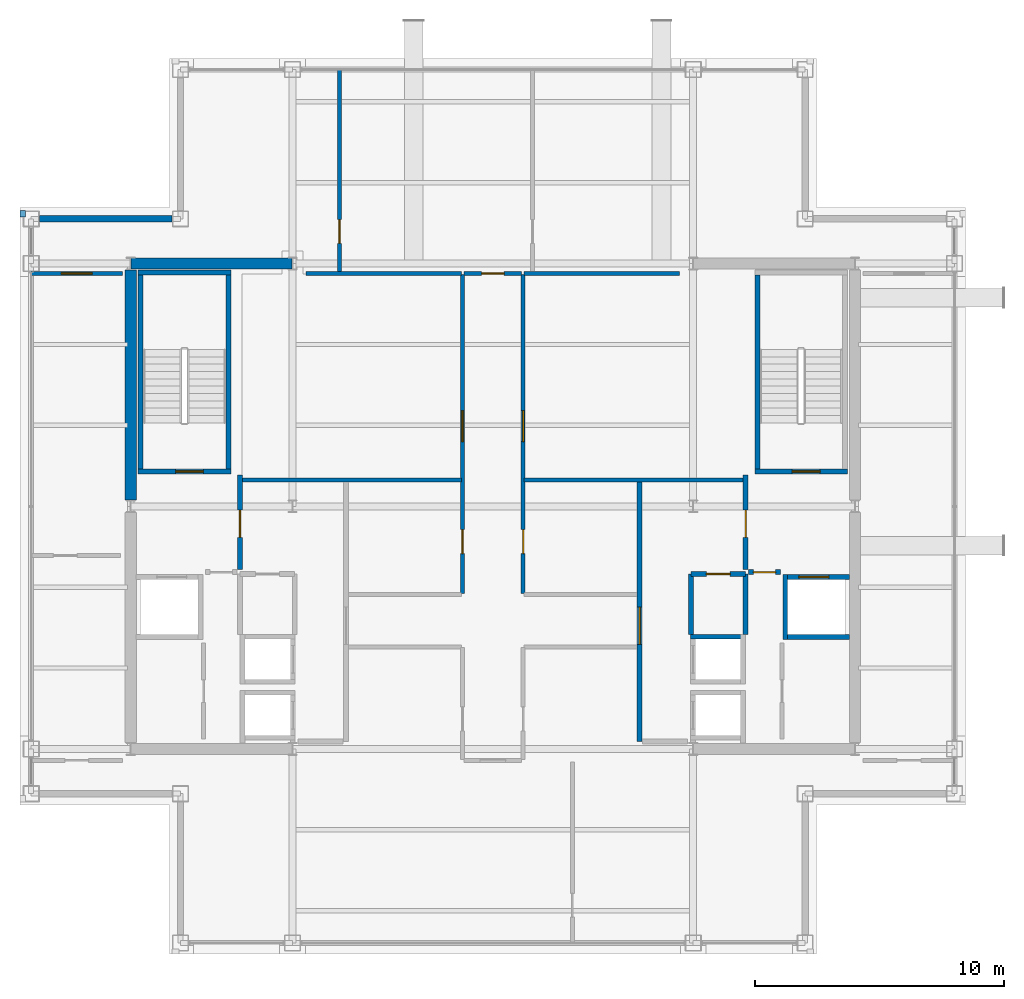
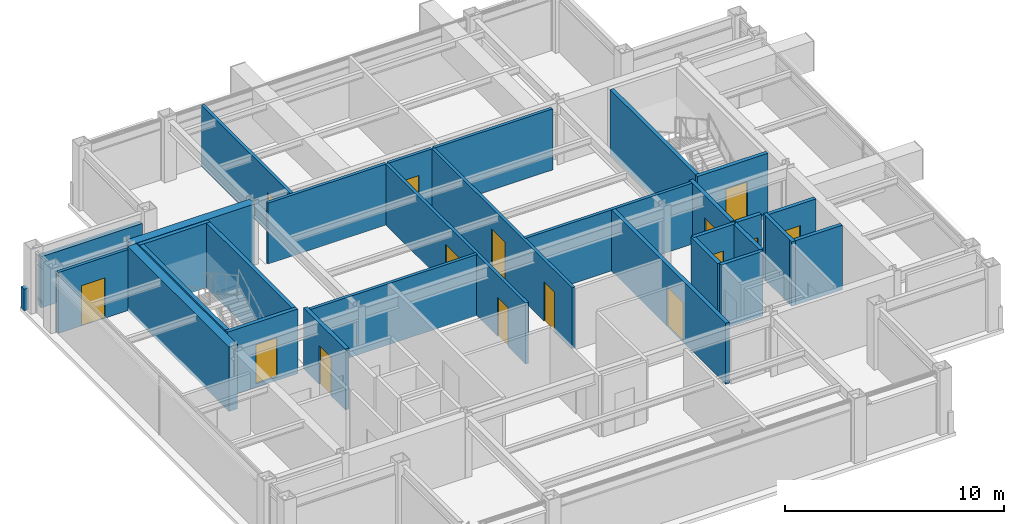
# One storey, part 18 of 20: 30 walls, 15 doors, 15 openings.
"""IFC4 building model written with IfcOpenShell, lengths in metres."""

from ifc_helpers import new_model, si_unit, direction, frame, frame_2d, origin, place, context, subcontext, project, spatial, rectangle, extrude, material, layer, layer_set, type_object, element, fill, save


model = new_model("IFC4")

# Units and contexts
model_context = context("Model", 3, precision=1e-05, world=origin(), true_north=direction((0.0, 1.0)))
body_context = subcontext(model_context, "Body", "Model", "MODEL_VIEW")
ifc_project = project(units=[si_unit("LENGTHUNIT", "METRE"), si_unit("AREAUNIT", "SQUARE_METRE"), si_unit("VOLUMEUNIT", "CUBIC_METRE"), si_unit("PLANEANGLEUNIT", "RADIAN"), si_unit("MASSUNIT", "GRAM", prefix="KILO")], contexts=[model_context])

# Site, building, storey
site_placement = place(None, origin())
site = spatial("IfcSite", under=ifc_project, at=site_placement, CompositionType="ELEMENT")
building_placement = place(site_placement, origin())
building = spatial("IfcBuilding", under=site, at=building_placement, Name="Brelmoor Portico Tower", CompositionType="ELEMENT")
storey_placement = place(building_placement, frame((0.0, 0.0, 218.39990234375)))
storey = spatial("IfcBuildingStorey", under=building, at=storey_placement, Name="L57", CompositionType="ELEMENT", Elevation=218.39990234375)

# Walls
ifc_material_1 = material(Name="Concrete C50", Category="concrete")
ifc_layer_1 = layer(ifc_material_1, 0.449951171875)
ifc_layer_set_1 = layer_set([ifc_layer_1], Name="Concrete C50")
wall_type_1 = type_object("IfcWallType", Name="WL-CORE-450", PredefinedType="SHEAR", material=ifc_layer_set_1)
wall_1_placement = place(storey_placement, frame((-14.530029296875, 9.75, -0.199951171875), z_axis=(0.0, 0.0, 1.0), x_axis=(1.0, 0.0, 0.0)))
element("IfcWall", 1, at=wall_1_placement, inside=storey, type_object=wall_type_1, Name="L57 WC North Shear Wall", PredefinedType="SHEAR", context=body_context, shape_type="SweptSolid", body=[
    extrude(rectangle(XDim=6.4599609375, YDim=0.449951171875, at=frame_2d((3.22998046875, 0.0))), origin(), (0.0, 0.0, 1.0), 3.60009765625),
])
wall_2_placement = place(storey_placement, frame((-14.550048828125, 0.25, -0.199951171875), z_axis=(0.0, 0.0, 1.0), x_axis=(0.0, 1.0, 0.0)))
element("IfcWall", 2, at=wall_2_placement, inside=storey, type_object=wall_type_1, Name="L57 WC Outer North Shear Wall", PredefinedType="SHEAR", context=body_context, shape_type="SweptSolid", body=[
    extrude(rectangle(XDim=9.25, YDim=0.449951171875, at=frame_2d((4.625, 0.0))), origin(), (0.0, 0.0, 1.0), 3.60009765625),
])
ifc_material_2 = material(Name="Precast Concrete C40 Insulated Facade Wall", Category="concrete")
ifc_layer_2 = layer(ifc_material_2, 0.25)
ifc_layer_set_2 = layer_set([ifc_layer_2], Name="Precast Concrete C40 Insulated Facade Wall")
wall_type_2 = type_object("IfcWallType", Name="WL-EXT-250", PredefinedType="STANDARD", material=ifc_layer_set_2)
wall_3_placement = place(storey_placement, frame((-18.215087890625, 11.550048828125, 0.0), z_axis=(0.0, 0.0, 1.0), x_axis=(1.0, 0.0, 0.0)))
element("IfcWall", 3, at=wall_3_placement, inside=storey, type_object=wall_type_2, Name="L57 Corner Notch Facade Wall NNWH1", PredefinedType="STANDARD", context=body_context, shape_type="SweptSolid", body=[
    extrude(rectangle(XDim=5.330078125, YDim=0.25, at=frame_2d((2.6650390625, 0.0))), origin(), (0.0, 0.0, 1.0), 2.85009765625),
])
ifc_material_3 = material(Name="Concrete C40 Parapet Upstand", Category="concrete")
ifc_layer_3 = layer(ifc_material_3, 0.219970703125)
ifc_layer_set_3 = layer_set([ifc_layer_3], Name="Concrete C40 Parapet Upstand")
wall_type_3 = type_object("IfcWallType", Name="WL-PARAPET-220", PredefinedType="PARAPET", material=ifc_layer_set_3)
wall_4_placement = place(storey_placement, frame((-18.889892578125, 11.6201171875, 0.0), z_axis=(0.0, 0.0, 1.0), x_axis=(0.0, 1.0, 0.0)))
element("IfcWall", 4, at=wall_4_placement, inside=storey, type_object=wall_type_3, Name="L57 Chamfer Vertex Parapet Pier NW2", PredefinedType="PARAPET", context=body_context, shape_type="SweptSolid", body=[
    extrude(rectangle(XDim=0.269775390625, YDim=0.219970703125, at=frame_2d((0.134765625, 0.0))), origin(), (0.0, 0.0, 1.0), 1.2001953125),
])
ifc_material_4 = material(Name="Twin-Frame Acoustic Partition", Category="gypsum")
ifc_layer_4 = layer(ifc_material_4, 0.159912109375)
ifc_layer_set_4 = layer_set([ifc_layer_4], Name="Twin-Frame Acoustic Partition")
wall_type_4 = type_object("IfcWallType", Name="WL-PART-160", PredefinedType="PARTITIONING", material=ifc_layer_set_4)
wall_5_placement = place(storey_placement, frame((-10.050048828125, 1.050048828125, 0.0), z_axis=(0.0, 0.0, 1.0), x_axis=(1.0, 0.0, 0.0)))
element("IfcWall", 5, at=wall_5_placement, inside=storey, type_object=wall_type_4, Name="L57 West Reclaimed Suite South Wall", PredefinedType="PARTITIONING", context=body_context, shape_type="SweptSolid", body=[
    extrude(rectangle(XDim=8.7900390625, YDim=0.159912109375, at=frame_2d((4.39501953125, 0.0))), origin(), (0.0, 0.0, 1.0), 3.400146484375),
])

# Wall, openings, doors
wall_6_placement = place(storey_placement, frame((-1.219970703125, -3.5, 0.0), z_axis=(0.0, 0.0, 1.0), x_axis=(0.0, 1.0, 0.0)))
wall_6 = element("IfcWall", 6, at=wall_6_placement, inside=storey, type_object=wall_type_4, Name="L57 Central Cross West Wall", PredefinedType="PARTITIONING", context=body_context, shape_type="SweptSolid", body=[
    extrude(rectangle(XDim=12.81005859375, YDim=0.159912109375, at=frame_2d((6.405029296875, 0.0))), origin(), (0.0, 0.0, 1.0), 3.400146484375),
])
opening_1_placement = place(wall_6_placement, frame((6.10009765625, 0.0, 0.0)))
opening_1 = element("IfcOpeningElement", 7, at=opening_1_placement, cuts=wall_6, Name="Opening D-SU1", PredefinedType="OPENING", context=body_context, shape_type="SweptSolid", body=[
    extrude(rectangle(XDim=1.239990234375, YDim=2.239990234375, at=frame_2d((0.6201171875, 1.1201171875))), frame((0.0, 0.08984375, 0.0), z_axis=(0.0, -1.0, 0.0), x_axis=(1.0, 0.0, 0.0)), (0.0, 0.0, 1.0), 0.179931640625),
])
opening_2_placement = place(wall_6_placement, frame((1.60009765625, 0.0, 0.0)))
opening_2 = element("IfcOpeningElement", 8, at=opening_2_placement, cuts=wall_6, Name="Opening D-IN2", PredefinedType="OPENING", context=body_context, shape_type="SweptSolid", body=[
    extrude(rectangle(XDim=0.9599609375, YDim=2.179931640625, at=frame_2d((0.47998046875, 1.08984375))), frame((0.0, 0.08984375, 0.0), z_axis=(0.0, -1.0, 0.0), x_axis=(1.0, 0.0, 0.0)), (0.0, 0.0, 1.0), 0.179931640625),
])
ifc_material_5 = material(Name="Lacquered Timber Suite Door", Category="wood")
door_type_1 = type_object("IfcDoorType", Name="DR-INT-950", OperationType="NOTDEFINED", PredefinedType="DOOR", material=ifc_material_5)
door_1_placement = place(opening_2_placement, origin())
door_1 = element("IfcDoor", 9, at=door_1_placement, inside=storey, type_object=door_type_1, Name="D-2368 L57 Staff Pantry Door", OperationType="SINGLE_SWING_RIGHT", OverallHeight=2.179931640625, OverallWidth=0.9599609375, PredefinedType="DOOR", context=body_context, shape_type="SweptSolid", body=[
    extrude(rectangle(XDim=0.9599609375, YDim=2.179931640625, at=frame_2d((0.47998046875, 1.08984375))), frame((0.0, 0.02490234375, 0.0), z_axis=(0.0, -1.0, 0.0), x_axis=(1.0, 0.0, 0.0)), (0.0, 0.0, 1.0), 0.050048828125),
])
fill(opening_2, door_1)
ifc_material_6 = material(Name="Glazed Timber Executive Suite Door", Category="wood")
door_type_2 = type_object("IfcDoorType", Name="DR-SUITE-1200", OperationType="NOTDEFINED", PredefinedType="DOOR", material=ifc_material_6)
door_2_placement = place(opening_1_placement, origin())
door_2 = element("IfcDoor", 10, at=door_2_placement, inside=storey, type_object=door_type_2, Name="D-2369 L57 West Reclaimed Studio Door", OperationType="SINGLE_SWING_LEFT", OverallHeight=2.239990234375, OverallWidth=1.239990234375, PredefinedType="DOOR", context=body_context, shape_type="SweptSolid", body=[
    extrude(rectangle(XDim=1.239990234375, YDim=2.239990234375, at=frame_2d((0.6201171875, 1.1201171875))), frame((0.0, 0.02490234375, 0.0), z_axis=(0.0, -1.0, 0.0), x_axis=(1.0, 0.0, 0.0)), (0.0, 0.0, 1.0), 0.050048828125),
])
fill(opening_1, door_2)

# Walls
wall_7_placement = place(storey_placement, frame((-7.5, 9.35009765625, 0.0), z_axis=(0.0, 0.0, 1.0), x_axis=(1.0, 0.0, 0.0)))
element("IfcWall", 11, at=wall_7_placement, inside=storey, type_object=wall_type_4, Name="L57 West Reclaimed Suite North Wall", PredefinedType="PARTITIONING", context=body_context, shape_type="SweptSolid", body=[
    extrude(rectangle(XDim=6.239990234375, YDim=0.159912109375, at=frame_2d((3.1201171875, 0.0))), origin(), (0.0, 0.0, 1.0), 3.400146484375),
])
wall_8_placement = place(storey_placement, frame((1.260009765625, 1.050048828125, 0.0), z_axis=(0.0, 0.0, 1.0), x_axis=(1.0, 0.0, 0.0)))
element("IfcWall", 12, at=wall_8_placement, inside=storey, type_object=wall_type_4, Name="L57 East Suite South Wall", PredefinedType="PARTITIONING", context=body_context, shape_type="SweptSolid", body=[
    extrude(rectangle(XDim=8.800048828125, YDim=0.159912109375, at=frame_2d((4.39990234375, 0.0))), origin(), (0.0, 0.0, 1.0), 3.400146484375),
])

# Wall, openings, doors
wall_9_placement = place(storey_placement, frame((1.219970703125, -3.5, 0.0), z_axis=(0.0, 0.0, 1.0), x_axis=(0.0, 1.0, 0.0)))
wall_9 = element("IfcWall", 13, at=wall_9_placement, inside=storey, type_object=wall_type_4, Name="L57 Central Cross East Wall", PredefinedType="PARTITIONING", context=body_context, shape_type="SweptSolid", body=[
    extrude(rectangle(XDim=12.81005859375, YDim=0.159912109375, at=frame_2d((6.405029296875, 0.0))), origin(), (0.0, 0.0, 1.0), 3.400146484375),
])
opening_3_placement = place(wall_9_placement, frame((6.10009765625, 0.0, 0.0)))
opening_3 = element("IfcOpeningElement", 14, at=opening_3_placement, cuts=wall_9, Name="Opening D-SU1", PredefinedType="OPENING", context=body_context, shape_type="SweptSolid", body=[
    extrude(rectangle(XDim=1.239990234375, YDim=2.239990234375, at=frame_2d((0.6201171875, 1.1201171875))), frame((0.0, 0.08984375, 0.0), z_axis=(0.0, -1.0, 0.0), x_axis=(1.0, 0.0, 0.0)), (0.0, 0.0, 1.0), 0.179931640625),
])
opening_4_placement = place(wall_9_placement, frame((1.60009765625, 0.0, 0.0)))
opening_4 = element("IfcOpeningElement", 15, at=opening_4_placement, cuts=wall_9, Name="Opening D-IN2", PredefinedType="OPENING", context=body_context, shape_type="SweptSolid", body=[
    extrude(rectangle(XDim=0.9599609375, YDim=2.179931640625, at=frame_2d((0.47998046875, 1.08984375))), frame((0.0, 0.08984375, 0.0), z_axis=(0.0, -1.0, 0.0), x_axis=(1.0, 0.0, 0.0)), (0.0, 0.0, 1.0), 0.179931640625),
])
door_3_placement = place(opening_4_placement, origin())
door_3 = element("IfcDoor", 16, at=door_3_placement, inside=storey, type_object=door_type_1, Name="D-2364 L57 Client Project Office Door", OperationType="SINGLE_SWING_RIGHT", OverallHeight=2.179931640625, OverallWidth=0.9599609375, PredefinedType="DOOR", context=body_context, shape_type="SweptSolid", body=[
    extrude(rectangle(XDim=0.9599609375, YDim=2.179931640625, at=frame_2d((0.47998046875, 1.08984375))), frame((0.0, 0.02490234375, 0.0), z_axis=(0.0, -1.0, 0.0), x_axis=(1.0, 0.0, 0.0)), (0.0, 0.0, 1.0), 0.050048828125),
])
fill(opening_4, door_3)
door_4_placement = place(opening_3_placement, origin())
door_4 = element("IfcDoor", 17, at=door_4_placement, inside=storey, type_object=door_type_2, Name="D-2365 L57 East Reclaimed Studio Door", OperationType="SINGLE_SWING_LEFT", OverallHeight=2.239990234375, OverallWidth=1.239990234375, PredefinedType="DOOR", context=body_context, shape_type="SweptSolid", body=[
    extrude(rectangle(XDim=1.239990234375, YDim=2.239990234375, at=frame_2d((0.6201171875, 1.1201171875))), frame((0.0, 0.02490234375, 0.0), z_axis=(0.0, -1.0, 0.0), x_axis=(1.0, 0.0, 0.0)), (0.0, 0.0, 1.0), 0.050048828125),
])
fill(opening_3, door_4)

# Wall
wall_10_placement = place(storey_placement, frame((1.260009765625, 9.35009765625, 0.0), z_axis=(0.0, 0.0, 1.0), x_axis=(1.0, 0.0, 0.0)))
element("IfcWall", 18, at=wall_10_placement, inside=storey, type_object=wall_type_4, Name="L57 East Suite North Wall", PredefinedType="PARTITIONING", context=body_context, shape_type="SweptSolid", body=[
    extrude(rectangle(XDim=6.239990234375, YDim=0.159912109375, at=frame_2d((3.1201171875, 0.0))), origin(), (0.0, 0.0, 1.0), 3.400146484375),
])

# Wall, opening, door
wall_11_placement = place(storey_placement, frame((-6.161376953125, 9.409912109375, 0.0), z_axis=(0.0, 0.0, 1.0), x_axis=(0.0, 1.0, 0.0)))
wall_11 = element("IfcWall", 19, at=wall_11_placement, inside=storey, type_object=wall_type_4, Name="L57 North Suite Partition 1", PredefinedType="PARTITIONING", context=body_context, shape_type="SweptSolid", body=[
    extrude(rectangle(XDim=8.150146484375, YDim=0.159912109375, at=frame_2d((4.0751953125, 0.0))), origin(), (0.0, 0.0, 1.0), 3.400146484375),
])
opening_5_placement = place(wall_11_placement, frame((1.14990234375, 0.0, 0.0)))
opening_5 = element("IfcOpeningElement", 20, at=opening_5_placement, cuts=wall_11, Name="Opening D-IN2", PredefinedType="OPENING", context=body_context, shape_type="SweptSolid", body=[
    extrude(rectangle(XDim=0.9599609375, YDim=2.179931640625, at=frame_2d((0.47998046875, 1.08984375))), frame((0.0, 0.08984375, 0.0), z_axis=(0.0, -1.0, 0.0), x_axis=(1.0, 0.0, 0.0)), (0.0, 0.0, 1.0), 0.179931640625),
])
door_5_placement = place(opening_5_placement, origin())
door_5 = element("IfcDoor", 21, at=door_5_placement, inside=storey, type_object=door_type_1, Name="D-2381 L57 North Suite Connecting Door 1", OperationType="SINGLE_SWING_LEFT", OverallHeight=2.179931640625, OverallWidth=0.9599609375, PredefinedType="DOOR", context=body_context, shape_type="SweptSolid", body=[
    extrude(rectangle(XDim=0.9599609375, YDim=2.179931640625, at=frame_2d((0.47998046875, 1.08984375))), frame((0.0, 0.02490234375, 0.0), z_axis=(0.0, -1.0, 0.0), x_axis=(1.0, 0.0, 0.0)), (0.0, 0.0, 1.0), 0.050048828125),
])
fill(opening_5, door_5)

wall_12_placement = place(storey_placement, frame((-1.14990234375, 9.35009765625, 0.0), z_axis=(0.0, 0.0, 1.0), x_axis=(1.0, 0.0, 0.0)))
wall_12 = element("IfcWall", 22, at=wall_12_placement, inside=storey, type_object=wall_type_4, Name="L57 North Corridor Partition", PredefinedType="PARTITIONING", context=body_context, shape_type="SweptSolid", body=[
    extrude(rectangle(XDim=2.2998046875, YDim=0.159912109375, at=frame_2d((1.14990234375, 0.0))), origin(), (0.0, 0.0, 1.0), 3.400146484375),
])
opening_6_placement = place(wall_12_placement, frame((0.699951171875, 0.0, 0.0)))
opening_6 = element("IfcOpeningElement", 23, at=opening_6_placement, cuts=wall_12, Name="Opening D-IN1", PredefinedType="OPENING", context=body_context, shape_type="SweptSolid", body=[
    extrude(rectangle(XDim=0.89990234375, YDim=2.14990234375, at=frame_2d((0.449951171875, 1.074951171875))), frame((0.0, 0.08984375, 0.0), z_axis=(0.0, -1.0, 0.0), x_axis=(1.0, 0.0, 0.0)), (0.0, 0.0, 1.0), 0.179931640625),
])
door_type_3 = type_object("IfcDoorType", Name="DR-INT-900", OperationType="NOTDEFINED", PredefinedType="DOOR", material=ifc_material_5)
door_6_placement = place(opening_6_placement, origin())
door_6 = element("IfcDoor", 24, at=door_6_placement, inside=storey, type_object=door_type_3, Name="D-2380 L57 North Quiet Reading Lounge 2 Door", OperationType="SINGLE_SWING_LEFT", OverallHeight=2.14990234375, OverallWidth=0.89990234375, PredefinedType="DOOR", context=body_context, shape_type="SweptSolid", body=[
    extrude(rectangle(XDim=0.89990234375, YDim=2.14990234375, at=frame_2d((0.449951171875, 1.074951171875))), frame((0.0, 0.02490234375, 0.0), z_axis=(0.0, -1.0, 0.0), x_axis=(1.0, 0.0, 0.0)), (0.0, 0.0, 1.0), 0.050048828125),
])
fill(opening_6, door_6)

wall_13_placement = place(storey_placement, frame((-18.56005859375, 9.35009765625, 0.0), z_axis=(0.0, 0.0, 1.0), x_axis=(1.0, 0.0, 0.0)))
wall_13 = element("IfcWall", 25, at=wall_13_placement, inside=storey, type_object=wall_type_4, Name="L57 North Wing Suite Wall WL", PredefinedType="PARTITIONING", context=body_context, shape_type="SweptSolid", body=[
    extrude(rectangle(XDim=3.68017578125, YDim=0.159912109375, at=frame_2d((1.840087890625, 0.0))), origin(), (0.0, 0.0, 1.0), 3.400146484375),
])
opening_7_placement = place(wall_13_placement, frame((1.219970703125, 0.0, 0.0)))
opening_7 = element("IfcOpeningElement", 26, at=opening_7_placement, cuts=wall_13, Name="Opening D-SU1", PredefinedType="OPENING", context=body_context, shape_type="SweptSolid", body=[
    extrude(rectangle(XDim=1.239990234375, YDim=2.239990234375, at=frame_2d((0.6201171875, 1.1201171875))), frame((0.0, 0.08984375, 0.0), z_axis=(0.0, -1.0, 0.0), x_axis=(1.0, 0.0, 0.0)), (0.0, 0.0, 1.0), 0.179931640625),
])
door_7_placement = place(opening_7_placement, origin())
door_7 = element("IfcDoor", 27, at=door_7_placement, inside=storey, type_object=door_type_2, Name="D-2384 L57 WL Wing Suite Connecting Door", OperationType="SINGLE_SWING_RIGHT", OverallHeight=2.239990234375, OverallWidth=1.239990234375, PredefinedType="DOOR", context=body_context, shape_type="SweptSolid", body=[
    extrude(rectangle(XDim=1.239990234375, YDim=2.239990234375, at=frame_2d((0.6201171875, 1.1201171875))), frame((0.0, 0.02490234375, 0.0), z_axis=(0.0, -1.0, 0.0), x_axis=(1.0, 0.0, 0.0)), (0.0, 0.0, 1.0), 0.050048828125),
])
fill(opening_7, door_7)

ifc_material_7 = material(Name="Double-Stud Gypsum Fire Partition", Category="gypsum")
ifc_layer_5 = layer(ifc_material_7, 0.199951171875)
ifc_layer_set_5 = layer_set([ifc_layer_5], Name="Double-Stud Gypsum Fire Partition")
wall_type_5 = type_object("IfcWallType", Name="WL-PART-200", PredefinedType="PARTITIONING", material=ifc_layer_set_5)
wall_14_placement = place(storey_placement, frame((-10.159912109375, -2.550048828125, 0.0), z_axis=(0.0, 0.0, 1.0), x_axis=(0.0, 1.0, 0.0)))
wall_14 = element("IfcWall", 28, at=wall_14_placement, inside=storey, type_object=wall_type_5, Name="L57 W Firefighting Lobby Wall", PredefinedType="PARTITIONING", context=body_context, shape_type="SweptSolid", body=[
    extrude(rectangle(XDim=3.800048828125, YDim=0.199951171875, at=frame_2d((1.89990234375, 0.0))), origin(), (0.0, 0.0, 1.0), 3.400146484375),
])
opening_8_placement = place(wall_14_placement, frame((1.300048828125, 0.0, 0.0)))
opening_8 = element("IfcOpeningElement", 29, at=opening_8_placement, cuts=wall_14, Name="Opening D-FR1", PredefinedType="OPENING", context=body_context, shape_type="SweptSolid", body=[
    extrude(rectangle(XDim=1.10009765625, YDim=2.14990234375, at=frame_2d((0.550048828125, 1.074951171875))), frame((0.0, 0.10986328125, 0.0), z_axis=(0.0, -1.0, 0.0), x_axis=(1.0, 0.0, 0.0)), (0.0, 0.0, 1.0), 0.219970703125),
])
ifc_material_8 = material(Name="Painted Galvanised Steel Fire Door", Category="steel")
door_type_4 = type_object("IfcDoorType", Name="DR-FIRE-1100", OperationType="NOTDEFINED", PredefinedType="DOOR", material=ifc_material_8)
door_8_placement = place(opening_8_placement, origin())
door_8 = element("IfcDoor", 30, at=door_8_placement, inside=storey, type_object=door_type_4, Name="D-2377 L57 W Firefighting Lobby Door", OperationType="SINGLE_SWING_LEFT", OverallHeight=2.14990234375, OverallWidth=1.10009765625, PredefinedType="DOOR", context=body_context, shape_type="SweptSolid", body=[
    extrude(rectangle(XDim=1.10009765625, YDim=2.14990234375, at=frame_2d((0.550048828125, 1.074951171875))), frame((0.0, 0.02490234375, 0.0), z_axis=(0.0, -1.0, 0.0), x_axis=(1.0, 0.0, 0.0)), (0.0, 0.0, 1.0), 0.050048828125),
])
fill(opening_8, door_8)

wall_15_placement = place(storey_placement, frame((5.89990234375, -9.449951171875, 0.0), z_axis=(0.0, 0.0, 1.0), x_axis=(0.0, 1.0, 0.0)))
wall_15 = element("IfcWall", 31, at=wall_15_placement, inside=storey, type_object=wall_type_5, Name="L57 E Core Lobby Compartment Wall", PredefinedType="PARTITIONING", context=body_context, shape_type="SweptSolid", body=[
    extrude(rectangle(XDim=10.5, YDim=0.199951171875, at=frame_2d((5.25, 0.0))), origin(), (0.0, 0.0, 1.0), 3.400146484375),
])
opening_9_placement = place(wall_15_placement, frame((3.89990234375, 0.0, 0.0)))
opening_9 = element("IfcOpeningElement", 32, at=opening_9_placement, cuts=wall_15, Name="Opening D-LB1", PredefinedType="OPENING", context=body_context, shape_type="SweptSolid", body=[
    extrude(rectangle(XDim=1.5, YDim=2.199951171875, at=frame_2d((0.75, 1.10009765625))), frame((0.0, 0.10986328125, 0.0), z_axis=(0.0, -1.0, 0.0), x_axis=(1.0, 0.0, 0.0)), (0.0, 0.0, 1.0), 0.219970703125),
])
ifc_material_9 = material(Name="Double-Leaf Glazed Steel Fire Door", Category="steel")
door_type_5 = type_object("IfcDoorType", Name="DR-LOBBY-1500", OperationType="NOTDEFINED", PredefinedType="DOOR", material=ifc_material_9)
door_9_placement = place(opening_9_placement, origin())
door_9 = element("IfcDoor", 33, at=door_9_placement, inside=storey, type_object=door_type_5, Name="D-2378 L57 E Lift Lobby Main Door", OperationType="DOUBLE_DOOR_SINGLE_SWING", OverallHeight=2.199951171875, OverallWidth=1.5, PredefinedType="DOOR", context=body_context, shape_type="SweptSolid", body=[
    extrude(rectangle(XDim=1.5, YDim=2.199951171875, at=frame_2d((0.75, 1.10009765625))), frame((0.0, 0.02490234375, 0.0), z_axis=(0.0, -1.0, 0.0), x_axis=(1.0, 0.0, 0.0)), (0.0, 0.0, 1.0), 0.050048828125),
])
fill(opening_9, door_9)

wall_16_placement = place(storey_placement, frame((10.159912109375, -2.550048828125, 0.0), z_axis=(0.0, 0.0, 1.0), x_axis=(0.0, 1.0, 0.0)))
wall_16 = element("IfcWall", 34, at=wall_16_placement, inside=storey, type_object=wall_type_5, Name="L57 E Firefighting Lobby Wall", PredefinedType="PARTITIONING", context=body_context, shape_type="SweptSolid", body=[
    extrude(rectangle(XDim=3.800048828125, YDim=0.199951171875, at=frame_2d((1.89990234375, 0.0))), origin(), (0.0, 0.0, 1.0), 3.400146484375),
])
opening_10_placement = place(wall_16_placement, frame((1.300048828125, 0.0, 0.0)))
opening_10 = element("IfcOpeningElement", 35, at=opening_10_placement, cuts=wall_16, Name="Opening D-FR1", PredefinedType="OPENING", context=body_context, shape_type="SweptSolid", body=[
    extrude(rectangle(XDim=1.10009765625, YDim=2.14990234375, at=frame_2d((0.550048828125, 1.074951171875))), frame((0.0, 0.10986328125, 0.0), z_axis=(0.0, -1.0, 0.0), x_axis=(1.0, 0.0, 0.0)), (0.0, 0.0, 1.0), 0.219970703125),
])
door_10_placement = place(opening_10_placement, origin())
door_10 = element("IfcDoor", 36, at=door_10_placement, inside=storey, type_object=door_type_4, Name="D-2376 L57 E Firefighting Lobby Door", OperationType="SINGLE_SWING_LEFT", OverallHeight=2.14990234375, OverallWidth=1.10009765625, PredefinedType="DOOR", context=body_context, shape_type="SweptSolid", body=[
    extrude(rectangle(XDim=1.10009765625, YDim=2.14990234375, at=frame_2d((0.550048828125, 1.074951171875))), frame((0.0, 0.02490234375, 0.0), z_axis=(0.0, -1.0, 0.0), x_axis=(1.0, 0.0, 0.0)), (0.0, 0.0, 1.0), 0.050048828125),
])
fill(opening_10, door_10)

wall_17_placement = place(storey_placement, frame((10.280029296875, -2.64990234375, 0.0), z_axis=(0.0, 0.0, 1.0), x_axis=(1.0, 0.0, 0.0)))
wall_17 = element("IfcWall", 37, at=wall_17_placement, inside=storey, type_object=wall_type_5, Name="L57 E Firefighting Lobby South Wall", PredefinedType="PARTITIONING", context=body_context, shape_type="SweptSolid", body=[
    extrude(rectangle(XDim=1.27001953125, YDim=0.199951171875, at=frame_2d((0.635009765625, 0.0))), origin(), (0.0, 0.0, 1.0), 3.400146484375),
])
opening_11_placement = place(wall_17_placement, frame((0.18505859375, 0.0, 0.0)))
opening_11 = element("IfcOpeningElement", 38, at=opening_11_placement, cuts=wall_17, Name="Opening D-IN1", PredefinedType="OPENING", context=body_context, shape_type="SweptSolid", body=[
    extrude(rectangle(XDim=0.89990234375, YDim=2.14990234375, at=frame_2d((0.449951171875, 1.074951171875))), frame((0.0, 0.10986328125, 0.0), z_axis=(0.0, -1.0, 0.0), x_axis=(1.0, 0.0, 0.0)), (0.0, 0.0, 1.0), 0.219970703125),
])
door_11_placement = place(opening_11_placement, origin())
door_11 = element("IfcDoor", 39, at=door_11_placement, inside=storey, type_object=door_type_3, Name="D-2371 L57 E Core Service Vestibule Door", OperationType="SINGLE_SWING_RIGHT", OverallHeight=2.14990234375, OverallWidth=0.89990234375, PredefinedType="DOOR", context=body_context, shape_type="SweptSolid", body=[
    extrude(rectangle(XDim=0.89990234375, YDim=2.14990234375, at=frame_2d((0.449951171875, 1.074951171875))), frame((0.0, 0.02490234375, 0.0), z_axis=(0.0, -1.0, 0.0), x_axis=(1.0, 0.0, 0.0)), (0.0, 0.0, 1.0), 0.050048828125),
])
fill(opening_11, door_11)

wall_18_placement = place(storey_placement, frame((7.9599609375, -2.719970703125, 0.0), z_axis=(0.0, 0.0, 1.0), x_axis=(1.0, 0.0, 0.0)))
wall_18 = element("IfcWall", 40, at=wall_18_placement, inside=storey, type_object=wall_type_5, Name="L57 E Electrical Switchgear Closet Wall", PredefinedType="PARTITIONING", context=body_context, shape_type="SweptSolid", body=[
    extrude(rectangle(XDim=2.199951171875, YDim=0.199951171875, at=frame_2d((1.10009765625, 0.0))), origin(), (0.0, 0.0, 1.0), 3.400146484375),
])
opening_12_placement = place(wall_18_placement, frame((0.6201171875, 0.0, 0.0)))
opening_12 = element("IfcOpeningElement", 41, at=opening_12_placement, cuts=wall_18, Name="Opening D-FR4", PredefinedType="OPENING", context=body_context, shape_type="SweptSolid", body=[
    extrude(rectangle(XDim=0.949951171875, YDim=2.10009765625, at=frame_2d((0.47509765625, 1.050048828125))), frame((0.0, 0.10986328125, 0.0), z_axis=(0.0, -1.0, 0.0), x_axis=(1.0, 0.0, 0.0)), (0.0, 0.0, 1.0), 0.219970703125),
])
ifc_material_10 = material(Name="Painted Galvanised Steel Riser Door", Category="steel")
door_type_6 = type_object("IfcDoorType", Name="DR-FIRE-950", OperationType="NOTDEFINED", PredefinedType="DOOR", material=ifc_material_10)
door_12_placement = place(opening_12_placement, origin())
door_12 = element("IfcDoor", 42, at=door_12_placement, inside=storey, type_object=door_type_6, Name="D-2374 L57 E Electrical Switchgear Closet Door", OperationType="SINGLE_SWING_LEFT", OverallHeight=2.10009765625, OverallWidth=0.949951171875, PredefinedType="DOOR", context=body_context, shape_type="SweptSolid", body=[
    extrude(rectangle(XDim=0.949951171875, YDim=2.10009765625, at=frame_2d((0.47509765625, 1.050048828125))), frame((0.0, 0.02490234375, 0.0), z_axis=(0.0, -1.0, 0.0), x_axis=(1.0, 0.0, 0.0)), (0.0, 0.0, 1.0), 0.050048828125),
])
fill(opening_12, door_12)

# Walls
for number, where, z_axis, x_axis, name in (
    (43, (7.9599609375, -5.159912109375, 0.0), (0.0, 0.0, 1.0), (0.0, 1.0, 0.0), "L57 E Electrical Switchgear Closet Inner Wall"),
    (44, (10.159912109375, -5.159912109375, 0.0), (0.0, 0.0, 1.0), (0.0, 1.0, 0.0), "L57 E Electrical Switchgear Closet Outer Wall"),
):
    element("IfcWall", number, at=place(storey_placement, frame(where, z_axis=z_axis, x_axis=x_axis)), inside=storey, type_object=wall_type_5, Name=name, PredefinedType="PARTITIONING", context=body_context, shape_type="SweptSolid", body=[
        extrude(rectangle(XDim=2.43994140625, YDim=0.199951171875, at=frame_2d((1.219970703125, 0.0))), origin(), (0.0, 0.0, 1.0), 3.400146484375),
    ])
ifc_material_11 = material(Name="Precast Concrete C40", Category="concrete")
ifc_layer_6 = layer(ifc_material_11, 0.18994140625)
ifc_layer_set_6 = layer_set([ifc_layer_6], Name="Precast Concrete C40")
wall_type_6 = type_object("IfcWallType", Name="WL-SHAFT-180", PredefinedType="SOLIDWALL", material=ifc_layer_set_6)
wall_19_placement = place(storey_placement, frame((7.949951171875, -5.2451171875, -0.199951171875), z_axis=(0.0, 0.0, 1.0), x_axis=(1.0, 0.0, 0.0)))
element("IfcWall", 45, at=wall_19_placement, inside=storey, type_object=wall_type_6, Name="L57 Lift PH4 Hoistway North Wall", PredefinedType="SOLIDWALL", context=body_context, shape_type="SweptSolid", body=[
    extrude(rectangle(XDim=2.199951171875, YDim=0.18994140625, at=frame_2d((1.10009765625, 0.0))), origin(), (0.0, 0.0, 1.0), 3.60009765625),
])

# Wall, opening, door
wall_20_placement = place(storey_placement, frame((11.64990234375, -2.844970703125, -0.199951171875), z_axis=(0.0, 0.0, 1.0), x_axis=(1.0, 0.0, 0.0)))
wall_20 = element("IfcWall", 46, at=wall_20_placement, inside=storey, type_object=wall_type_6, Name="L57 Lift FF2 Hoistway Front Wall", PredefinedType="SOLIDWALL", context=body_context, shape_type="SweptSolid", body=[
    extrude(rectangle(XDim=2.68017578125, YDim=0.18994140625, at=frame_2d((1.340087890625, 0.0))), origin(), (0.0, 0.0, 1.0), 3.60009765625),
])
opening_13_placement = place(wall_20_placement, frame((0.64990234375, 0.0, 0.199951171875)))
opening_13 = element("IfcOpeningElement", 47, at=opening_13_placement, cuts=wall_20, Name="Opening LD-02", PredefinedType="OPENING", context=body_context, shape_type="SweptSolid", body=[
    extrude(rectangle(XDim=1.199951171875, YDim=2.199951171875, at=frame_2d((0.60009765625, 1.10009765625))), frame((0.0, 0.10498046875, 0.0), z_axis=(0.0, -1.0, 0.0), x_axis=(1.0, 0.0, 0.0)), (0.0, 0.0, 1.0), 0.2099609375),
])
ifc_material_12 = material(Name="Brushed Stainless Steel Firefighting Lift Door", Category="steel")
door_type_7 = type_object("IfcDoorType", Name="DR-LIFT-1200", OperationType="NOTDEFINED", PredefinedType="DOOR", material=ifc_material_12)
door_13_placement = place(opening_13_placement, origin())
door_13 = element("IfcDoor", 48, at=door_13_placement, inside=storey, type_object=door_type_7, Name="D-2393 L57 Lift FF2 Sliding Landing Door", OperationType="SLIDING_TO_LEFT", OverallHeight=2.199951171875, OverallWidth=1.199951171875, PredefinedType="DOOR", context=body_context, shape_type="SweptSolid", body=[
    extrude(rectangle(XDim=1.199951171875, YDim=2.199951171875, at=frame_2d((0.60009765625, 1.10009765625))), frame((0.0, 0.02490234375, 0.0), z_axis=(0.0, -1.0, 0.0), x_axis=(1.0, 0.0, 0.0)), (0.0, 0.0, 1.0), 0.050048828125),
])
fill(opening_13, door_13)

# Walls
wall_21_placement = place(storey_placement, frame((11.64990234375, -5.2548828125, -0.199951171875), z_axis=(0.0, 0.0, 1.0), x_axis=(1.0, 0.0, 0.0)))
element("IfcWall", 49, at=wall_21_placement, inside=storey, type_object=wall_type_6, Name="L57 Firefighting Lift FF2 South Wall", PredefinedType="SOLIDWALL", context=body_context, shape_type="SweptSolid", body=[
    extrude(rectangle(XDim=2.68017578125, YDim=0.18994140625, at=frame_2d((1.340087890625, 0.0))), origin(), (0.0, 0.0, 1.0), 3.60009765625),
])
wall_22_placement = place(storey_placement, frame((11.7451171875, -5.35009765625, -0.199951171875), z_axis=(0.0, 0.0, 1.0), x_axis=(0.0, 1.0, 0.0)))
element("IfcWall", 50, at=wall_22_placement, inside=storey, type_object=wall_type_6, Name="L57 Firefighting Lift FF2 Inner Wall", PredefinedType="SOLIDWALL", context=body_context, shape_type="SweptSolid", body=[
    extrude(rectangle(XDim=2.60009765625, YDim=0.18994140625, at=frame_2d((1.300048828125, 0.0))), origin(), (0.0, 0.0, 1.0), 3.60009765625),
])
ifc_material_13 = material(Name="Concrete C40", Category="concrete")
ifc_layer_7 = layer(ifc_material_13, 0.199951171875)
ifc_layer_set_7 = layer_set([ifc_layer_7], Name="Concrete C40")
wall_type_7 = type_object("IfcWallType", Name="WL-SHAFT-RC200", PredefinedType="SOLIDWALL", material=ifc_layer_set_7)
wall_23_placement = place(storey_placement, frame((-14.14990234375, 1.5, -0.199951171875), z_axis=(0.0, 0.0, 1.0), x_axis=(0.0, 1.0, 0.0)))
element("IfcWall", 51, at=wall_23_placement, inside=storey, type_object=wall_type_7, Name="L57 ST-W Structural Stair Wall Outer", PredefinedType="SOLIDWALL", context=body_context, shape_type="SweptSolid", body=[
    extrude(rectangle(XDim=7.800048828125, YDim=0.199951171875, at=frame_2d((3.89990234375, 0.0))), origin(), (0.0, 0.0, 1.0), 3.60009765625),
])

# Wall, opening, door
wall_24_placement = place(storey_placement, frame((-14.25, 1.39990234375, -0.199951171875), z_axis=(0.0, 0.0, 1.0), x_axis=(1.0, 0.0, 0.0)))
wall_24 = element("IfcWall", 52, at=wall_24_placement, inside=storey, type_object=wall_type_7, Name="L57 ST-W Structural Stair Wall S", PredefinedType="SOLIDWALL", context=body_context, shape_type="SweptSolid", body=[
    extrude(rectangle(XDim=3.719970703125, YDim=0.199951171875, at=frame_2d((1.85986328125, 0.0))), origin(), (0.0, 0.0, 1.0), 3.60009765625),
])
opening_14_placement = place(wall_24_placement, frame((1.5, 0.0, 0.199951171875)))
opening_14 = element("IfcOpeningElement", 53, at=opening_14_placement, cuts=wall_24, Name="Opening D-ST1", PredefinedType="OPENING", context=body_context, shape_type="SweptSolid", body=[
    extrude(rectangle(XDim=1.1201171875, YDim=2.179931640625, at=frame_2d((0.56005859375, 1.08984375))), frame((0.0, 0.10986328125, 0.0), z_axis=(0.0, -1.0, 0.0), x_axis=(1.0, 0.0, 0.0)), (0.0, 0.0, 1.0), 0.219970703125),
])
door_type_8 = type_object("IfcDoorType", Name="DR-STAIR-1100", OperationType="NOTDEFINED", PredefinedType="DOOR", material=ifc_material_8)
door_14_placement = place(opening_14_placement, origin())
door_14 = element("IfcDoor", 54, at=door_14_placement, inside=storey, type_object=door_type_8, Name="D-2388 L57 ST-W Protected Exit Stair Door", OperationType="SINGLE_SWING_LEFT", OverallHeight=2.179931640625, OverallWidth=1.1201171875, PredefinedType="DOOR", context=body_context, shape_type="SweptSolid", body=[
    extrude(rectangle(XDim=1.1201171875, YDim=2.179931640625, at=frame_2d((0.56005859375, 1.08984375))), frame((0.0, 0.02490234375, 0.0), z_axis=(0.0, -1.0, 0.0), x_axis=(1.0, 0.0, 0.0)), (0.0, 0.0, 1.0), 0.050048828125),
])
fill(opening_14, door_14)

# Walls
wall_25_placement = place(storey_placement, frame((-14.25, 9.39990234375, -0.199951171875), z_axis=(0.0, 0.0, 1.0), x_axis=(1.0, 0.0, 0.0)))
element("IfcWall", 55, at=wall_25_placement, inside=storey, type_object=wall_type_7, Name="L57 ST-W Structural Stair Wall N", PredefinedType="SOLIDWALL", context=body_context, shape_type="SweptSolid", body=[
    extrude(rectangle(XDim=3.719970703125, YDim=0.199951171875, at=frame_2d((1.85986328125, 0.0))), origin(), (0.0, 0.0, 1.0), 3.60009765625),
])
wall_26_placement = place(storey_placement, frame((-10.6298828125, 1.5, -0.199951171875), z_axis=(0.0, 0.0, 1.0), x_axis=(0.0, 1.0, 0.0)))
element("IfcWall", 56, at=wall_26_placement, inside=storey, type_object=wall_type_7, Name="L57 ST-W Structural Stair Wall Inner", PredefinedType="SOLIDWALL", context=body_context, shape_type="SweptSolid", body=[
    extrude(rectangle(XDim=7.800048828125, YDim=0.199951171875, at=frame_2d((3.89990234375, 0.0))), origin(), (0.0, 0.0, 1.0), 3.60009765625),
])

# Wall, opening, door
wall_27_placement = place(storey_placement, frame((10.530029296875, 1.39990234375, -0.199951171875), z_axis=(0.0, 0.0, 1.0), x_axis=(1.0, 0.0, 0.0)))
wall_27 = element("IfcWall", 57, at=wall_27_placement, inside=storey, type_object=wall_type_7, Name="L57 ST-E Structural Stair Wall S", PredefinedType="SOLIDWALL", context=body_context, shape_type="SweptSolid", body=[
    extrude(rectangle(XDim=3.719970703125, YDim=0.199951171875, at=frame_2d((1.85986328125, 0.0))), origin(), (0.0, 0.0, 1.0), 3.60009765625),
])
opening_15_placement = place(wall_27_placement, frame((1.5, 0.0, 0.199951171875)))
opening_15 = element("IfcOpeningElement", 58, at=opening_15_placement, cuts=wall_27, Name="Opening D-ST1", PredefinedType="OPENING", context=body_context, shape_type="SweptSolid", body=[
    extrude(rectangle(XDim=1.1201171875, YDim=2.179931640625, at=frame_2d((0.56005859375, 1.08984375))), frame((0.0, 0.10986328125, 0.0), z_axis=(0.0, -1.0, 0.0), x_axis=(1.0, 0.0, 0.0)), (0.0, 0.0, 1.0), 0.219970703125),
])
door_15_placement = place(opening_15_placement, origin())
door_15 = element("IfcDoor", 59, at=door_15_placement, inside=storey, type_object=door_type_8, Name="D-2387 L57 ST-E Protected Exit Stair Door", OperationType="SINGLE_SWING_RIGHT", OverallHeight=2.179931640625, OverallWidth=1.1201171875, PredefinedType="DOOR", context=body_context, shape_type="SweptSolid", body=[
    extrude(rectangle(XDim=1.1201171875, YDim=2.179931640625, at=frame_2d((0.56005859375, 1.08984375))), frame((0.0, 0.02490234375, 0.0), z_axis=(0.0, -1.0, 0.0), x_axis=(1.0, 0.0, 0.0)), (0.0, 0.0, 1.0), 0.050048828125),
])
fill(opening_15, door_15)

# Wall
wall_28_placement = place(storey_placement, frame((10.6298828125, 1.5, -0.199951171875), z_axis=(0.0, 0.0, 1.0), x_axis=(0.0, 1.0, 0.0)))
element("IfcWall", 60, at=wall_28_placement, inside=storey, type_object=wall_type_7, Name="L57 ST-E Structural Stair Wall Inner", PredefinedType="SOLIDWALL", context=body_context, shape_type="SweptSolid", body=[
    extrude(rectangle(XDim=7.800048828125, YDim=0.199951171875, at=frame_2d((3.89990234375, 0.0))), origin(), (0.0, 0.0, 1.0), 3.60009765625),
])

save(model, "model.ifc")
